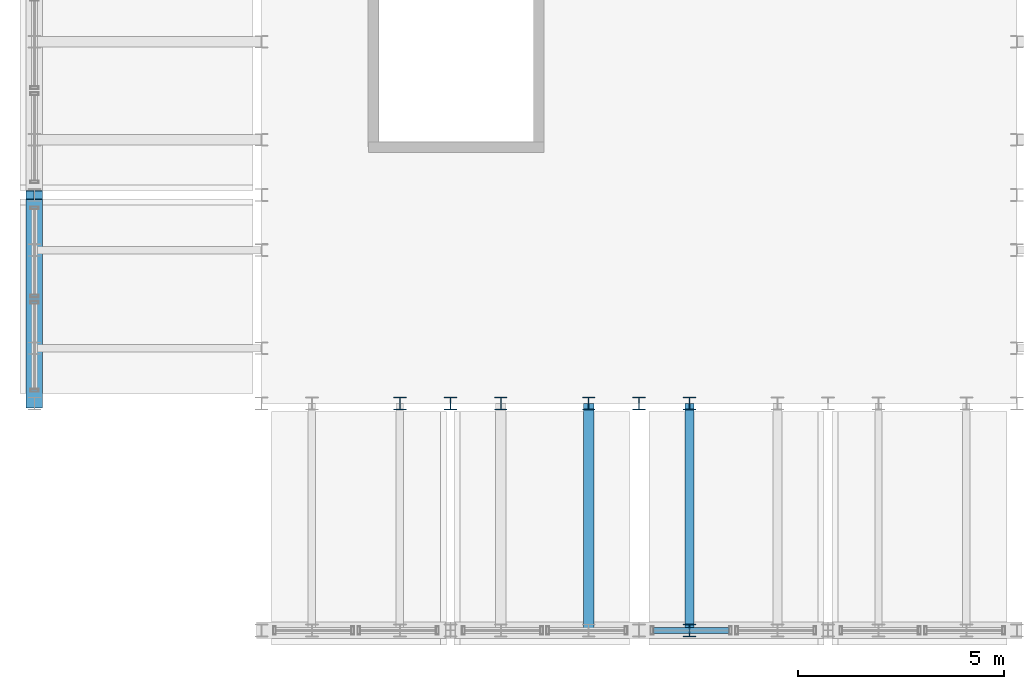
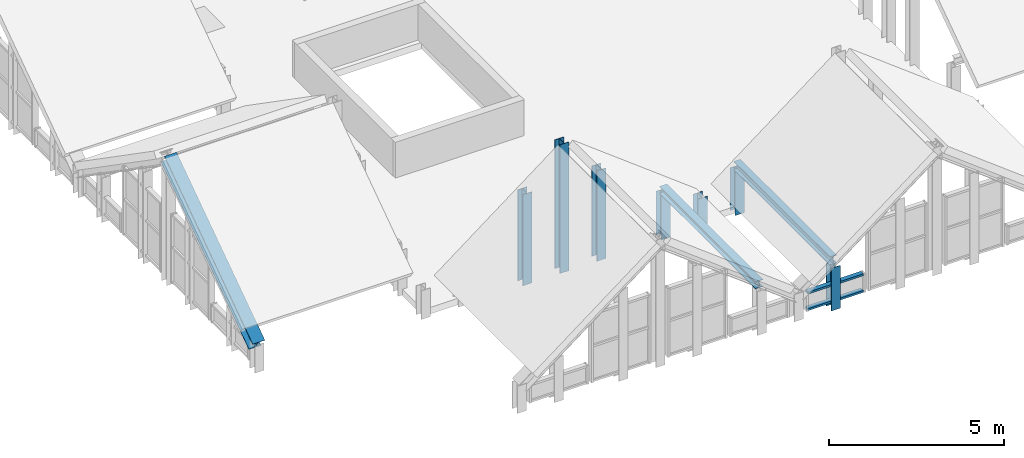
# One storey, part 2 of 21: 12 members, 1 element without a shape of its own.
"""IFC4 building model written with IfcOpenShell, lengths in metres."""

from ifc_helpers import new_model, si_unit, direction, frame, origin, origin_2d, place, context, subcontext, project, spatial, hollow_rectangle, i_section, extrude, source, transform, mapped, material, layer, layer_set, material_profile, profile_set, type_object, element, aggregate, save


model = new_model("IFC4")

# Units and contexts
model_context = context("Model", 3, precision=1e-05, world=origin(), true_north=direction((0.0, 1.0)))
body_context = subcontext(model_context, "Body", "Model", "MODEL_VIEW")
ifc_project = project(units=[si_unit("LENGTHUNIT", "METRE"), si_unit("AREAUNIT", "SQUARE_METRE"), si_unit("VOLUMEUNIT", "CUBIC_METRE"), si_unit("PLANEANGLEUNIT", "RADIAN"), si_unit("MASSUNIT", "GRAM", prefix="KILO")], contexts=[model_context])

# Site, building, storey
site_placement = place(None, origin())
site = spatial("IfcSite", under=ifc_project, at=site_placement, CompositionType="ELEMENT")
building_placement = place(site_placement, origin())
building = spatial("IfcBuilding", under=site, at=building_placement, Name="Saelheon Loggia Tower", CompositionType="ELEMENT")
storey_placement = place(building_placement, frame((0.0, 0.0, 275.0)))
storey = spatial("IfcBuildingStorey", under=building, at=storey_placement, Name="ROOF", CompositionType="ELEMENT", Elevation=275.0)

# Members
ifc_material_1 = material(Name="Steel SM355", Category="steel")
ifc_material_profile_1 = material_profile(ifc_material_1, i_section(OverallWidth=0.300048828125, OverallDepth=0.300048828125, WebThickness=0.010009765625, FlangeThickness=0.014892578125, at=origin_2d()), Name="H-300x300x10x15")
ifc_profile_set_1 = profile_set([ifc_material_profile_1], Name="Steel SM355")
member_type_1 = type_object("IfcMemberType", Name="Belt_Post_H300", PredefinedType="POST", material=ifc_profile_set_1)
shared_shape_1 = source(origin(), body_context, "Body", "SweptSolid", [
    extrude(i_section(OverallWidth=0.300048828125, OverallDepth=0.300048828125, WebThickness=0.010009765625, FlangeThickness=0.014892578125, at=origin_2d()), origin(), (0.0, 0.0, 1.0), 1.0),
])
member_1_placement = place(storey_placement, frame((38.0, 11.85009765625, -0.199951171875), z_axis=(0.0, 0.0, 1.0), x_axis=(1.0, 0.0, 0.0)))
element("IfcMember", 1, at=member_1_placement, inside=storey, type_object=member_type_1, Name="ROOF Wave Crest Inner Post S 02", PredefinedType="POST", context=body_context, shape_type="MappedRepresentation", body=[
    mapped(shared_shape_1, transform((0.0, 0.0, 0.0), scale=1.0)),
])
shared_shape_2 = source(origin(), body_context, "Body", "SweptSolid", [
    extrude(i_section(OverallWidth=0.300048828125, OverallDepth=0.300048828125, WebThickness=0.010009765625, FlangeThickness=0.014892578125, at=origin_2d()), origin(), (0.0, 0.0, 1.0), 4.5),
])
member_2_placement = place(storey_placement, frame((33.425048828125, 11.85009765625, -0.199951171875), z_axis=(0.0, 0.0, 1.0), x_axis=(1.0, 0.0, 0.0)))
element("IfcMember", 2, at=member_2_placement, inside=storey, type_object=member_type_1, Name="ROOF Wave Crest Inner Post S 01", PredefinedType="POST", context=body_context, shape_type="MappedRepresentation", body=[
    mapped(shared_shape_2, transform((0.0, 0.0, 0.0), scale=1.0)),
])
ifc_material_profile_2 = material_profile(ifc_material_1, i_section(OverallWidth=0.25, OverallDepth=0.25, WebThickness=0.009033203125, FlangeThickness=0.013916015625, at=origin_2d()), Name="H-250x250x9x14")
ifc_profile_set_2 = profile_set([ifc_material_profile_2], Name="Steel SM355")
member_type_2 = type_object("IfcMemberType", Name="Roof_Purlin_H250", PredefinedType="PURLIN", material=ifc_profile_set_2)
shared_shape_3 = source(origin(), body_context, "Body", "SweptSolid", [
    extrude(i_section(OverallWidth=0.25, OverallDepth=0.25, WebThickness=0.009033203125, FlangeThickness=0.013916015625, at=origin_2d()), origin(), (0.0, 0.0, 1.0), 5.5),
])
member_3_placement = place(storey_placement, frame((36.777099609375, 6.35009765625, 1.45458984375), z_axis=(0.0, 1.0, 0.0), x_axis=(-1.0, 0.0, 0.0)))
element("IfcMember", 3, at=member_3_placement, inside=storey, type_object=member_type_2, Name="Crown Wave Roof Purlin 14 B", PredefinedType="PURLIN", context=body_context, shape_type="MappedRepresentation", body=[
    mapped(shared_shape_3, transform((0.0, 0.0, 0.0), scale=1.0)),
])
ifc_material_profile_3 = material_profile(ifc_material_1, i_section(OverallWidth=0.219970703125, OverallDepth=0.300048828125, WebThickness=0.011962890625, FlangeThickness=0.02001953125, at=origin_2d()), Name="H-300x220x12x20")
ifc_profile_set_3 = profile_set([ifc_material_profile_3], Name="Steel SM355")
member_type_3 = type_object("IfcMemberType", Name="Roof_Purlin_RHS300", PredefinedType="PURLIN", material=ifc_profile_set_3)
shared_shape_4 = source(origin(), body_context, "Body", "SweptSolid", [
    extrude(i_section(OverallWidth=0.219970703125, OverallDepth=0.300048828125, WebThickness=0.011962890625, FlangeThickness=0.02001953125, at=origin_2d()), origin(), (0.0, 0.0, 1.0), 5.5),
])
member_4_placement = place(storey_placement, frame((39.222900390625, 6.35009765625, 1.441162109375), z_axis=(0.0, 1.0, 0.0), x_axis=(-1.0, 0.0, 0.0)))
element("IfcMember", 4, at=member_4_placement, inside=storey, type_object=member_type_3, Name="Crown Wave Roof Purlin 15 A", PredefinedType="PURLIN", context=body_context, shape_type="MappedRepresentation", body=[
    mapped(shared_shape_4, transform((0.0, 0.0, 0.0), scale=1.0)),
])
shared_shape_5 = source(origin(), body_context, "Body", "SweptSolid", [
    extrude(i_section(OverallWidth=0.300048828125, OverallDepth=0.300048828125, WebThickness=0.010009765625, FlangeThickness=0.014892578125, at=origin_2d()), origin(), (0.0, 0.0, 1.0), 3.185546875),
])
member_5_placement = place(storey_placement, frame((32.2021484375, 11.85009765625, -0.199951171875), z_axis=(0.0, 0.0, 1.0), x_axis=(1.0, 0.0, 0.0)))
element("IfcMember", 5, at=member_5_placement, inside=storey, type_object=member_type_1, Name="Crown Wave Roof Purlin Support Post 13 B I", PredefinedType="POST", context=body_context, shape_type="MappedRepresentation", body=[
    mapped(shared_shape_5, transform((0.0, 0.0, 0.0), scale=1.0)),
])
shared_shape_6 = source(origin(), body_context, "Body", "SweptSolid", [
    extrude(i_section(OverallWidth=0.300048828125, OverallDepth=0.300048828125, WebThickness=0.010009765625, FlangeThickness=0.014892578125, at=origin_2d()), origin(), (0.0, 0.0, 1.0), 3.15869140625),
])
member_6_placement = place(storey_placement, frame((34.647705078125, 11.85009765625, -0.199951171875), z_axis=(0.0, 0.0, 1.0), x_axis=(1.0, 0.0, 0.0)))
element("IfcMember", 6, at=member_6_placement, inside=storey, type_object=member_type_1, Name="Crown Wave Roof Purlin Support Post 14 A I", PredefinedType="POST", context=body_context, shape_type="MappedRepresentation", body=[
    mapped(shared_shape_6, transform((0.0, 0.0, 0.0), scale=1.0)),
])
shared_shape_7 = source(origin(), body_context, "Body", "SweptSolid", [
    extrude(i_section(OverallWidth=0.300048828125, OverallDepth=0.300048828125, WebThickness=0.010009765625, FlangeThickness=0.014892578125, at=origin_2d()), origin(), (0.0, 0.0, 1.0), 1.529541015625),
])
member_7_placement = place(storey_placement, frame((36.777099609375, 11.85009765625, -0.199951171875), z_axis=(0.0, 0.0, 1.0), x_axis=(1.0, 0.0, 0.0)))
element("IfcMember", 7, at=member_7_placement, inside=storey, type_object=member_type_1, Name="Crown Wave Roof Purlin Support Post 14 B I", PredefinedType="POST", context=body_context, shape_type="MappedRepresentation", body=[
    mapped(shared_shape_7, transform((0.0, 0.0, 0.0), scale=1.0)),
])
shared_shape_8 = source(origin(), body_context, "Body", "SweptSolid", [
    extrude(i_section(OverallWidth=0.300048828125, OverallDepth=0.300048828125, WebThickness=0.010009765625, FlangeThickness=0.014892578125, at=origin_2d()), origin(), (0.0, 0.0, 1.0), 1.490966796875),
])
for number, where, z_axis, x_axis, name in (
    (8, (39.222900390625, 6.35009765625, -0.199951171875), (0.0, 0.0, 1.0), (1.0, 0.0, 0.0), "Crown Wave Roof Purlin Support Post 15 A O"),
    (9, (39.222900390625, 11.85009765625, -0.199951171875), (0.0, 0.0, 1.0), (1.0, 0.0, 0.0), "Crown Wave Roof Purlin Support Post 15 A I"),
):
    element("IfcMember", number, at=place(storey_placement, frame(where, z_axis=z_axis, x_axis=x_axis)), inside=storey, type_object=member_type_1, Name=name, PredefinedType="POST", context=body_context, shape_type="MappedRepresentation", body=[
        mapped(shared_shape_8, transform((0.0, 0.0, 0.0), scale=1.0)),
    ])
ifc_material_profile_4 = material_profile(ifc_material_1, i_section(OverallWidth=0.39990234375, OverallDepth=0.39990234375, WebThickness=0.012939453125, FlangeThickness=0.02099609375, at=origin_2d()), Name="H-400x400x13x21")
ifc_profile_set_4 = profile_set([ifc_material_profile_4], Name="Steel SM355")
member_type_4 = type_object("IfcMemberType", Name="CrownFrame_Brace_H400", PredefinedType="BRACE", material=ifc_profile_set_4)
shared_shape_9 = source(origin(), body_context, "Body", "SweptSolid", [
    extrude(i_section(OverallWidth=0.39990234375, OverallDepth=0.39990234375, WebThickness=0.012939453125, FlangeThickness=0.02099609375, at=origin_2d()), origin(), (0.0, 0.0, 1.0), 6.14404296875),
])
member_8_placement = place(storey_placement, frame((23.35009765625, 11.85009765625, 0.699951171875), z_axis=(0.0, 0.821888813717, 0.569647942054), x_axis=(-1.0, 0.0, 0.0)))
element("IfcMember", 10, at=member_8_placement, inside=storey, type_object=member_type_4, Name="ROOF CROWN FRAME Wave Crest Cap W 01", PredefinedType="BRACE", context=body_context, shape_type="MappedRepresentation", body=[
    mapped(shared_shape_9, transform((0.0, 0.0, 0.0), scale=1.0)),
])

# Curtain wall, members
ifc_material_2 = material(Name="Bronze-Anodised Aluminium and Fritted Ceramic Screen", Category="aluminium")
ifc_layer = layer(ifc_material_2, 0.219970703125)
ifc_layer_set = layer_set([ifc_layer], Name="Bronze-Anodised Aluminium and Fritted Ceramic Screen")
curtain_wall_type = type_object("IfcCurtainWallType", Name="CW_CrownScreen", PredefinedType="NOTDEFINED", material=ifc_layer_set)
curtain_wall_placement = place(storey_placement, origin())
curtain_wall = element("IfcCurtainWall", 11, at=curtain_wall_placement, inside=storey, type_object=curtain_wall_type, Name="ROOF Wave Crest Curtain Wall S 03-1", PredefinedType="NOTDEFINED")
ifc_material_3 = material(Name="Bronze-Anodised Aluminium 6063-T6", Category="aluminium")
ifc_material_profile_5 = material_profile(ifc_material_3, hollow_rectangle(XDim=0.070068359375, YDim=0.14990234375, WallThickness=0.0048828125, at=origin_2d()), Name="RHS-150x70x5")
ifc_profile_set_5 = profile_set([ifc_material_profile_5], Name="Bronze-Anodised Aluminium 6063-T6")
member_type_5 = type_object("IfcMemberType", Name="CW_CrownScreen_Transom", PredefinedType="USERDEFINED", material=ifc_profile_set_5)
shared_shape_10 = source(origin(), body_context, "Body", "SweptSolid", [
    extrude(hollow_rectangle(XDim=0.070068359375, YDim=0.14990234375, WallThickness=0.0048828125, at=origin_2d()), origin(), (0.0, 0.0, 1.0), 1.827392578125),
])
member_9_placement = place(storey_placement, frame((38.35009765625, 6.35009765625, 0.054931640625), z_axis=(1.0, 0.0, 0.0), x_axis=(0.0, 0.0, 1.0)))
member_9 = element("IfcMember", 12, at=member_9_placement, type_object=member_type_5, Name="CW6 transom 1.1", ObjectType="TRANSOM", PredefinedType="USERDEFINED", context=body_context, shape_type="MappedRepresentation", body=[
    mapped(shared_shape_10, transform((0.0, 0.0, 0.0), scale=1.0)),
])
member_10_placement = place(storey_placement, frame((38.35009765625, 6.35009765625, 0.635009765625), z_axis=(1.0, 0.0, 0.0), x_axis=(0.0, 0.0, 1.0)))
member_10 = element("IfcMember", 13, at=member_10_placement, type_object=member_type_5, Name="CW6 transom 1.2", ObjectType="TRANSOM", PredefinedType="USERDEFINED", context=body_context, shape_type="MappedRepresentation", body=[
    mapped(shared_shape_10, transform((0.0, 0.0, 0.0), scale=1.0)),
])
aggregate(curtain_wall, [member_9, member_10])

save(model, "model.ifc")
